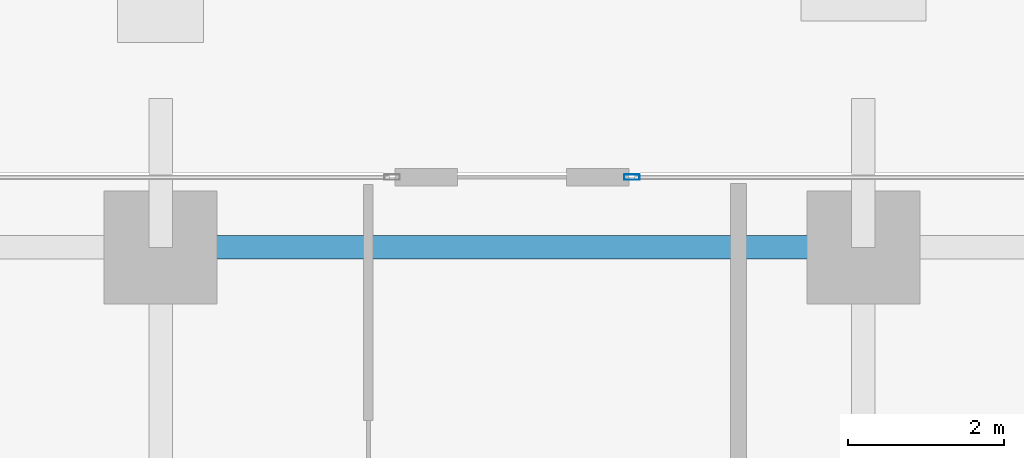
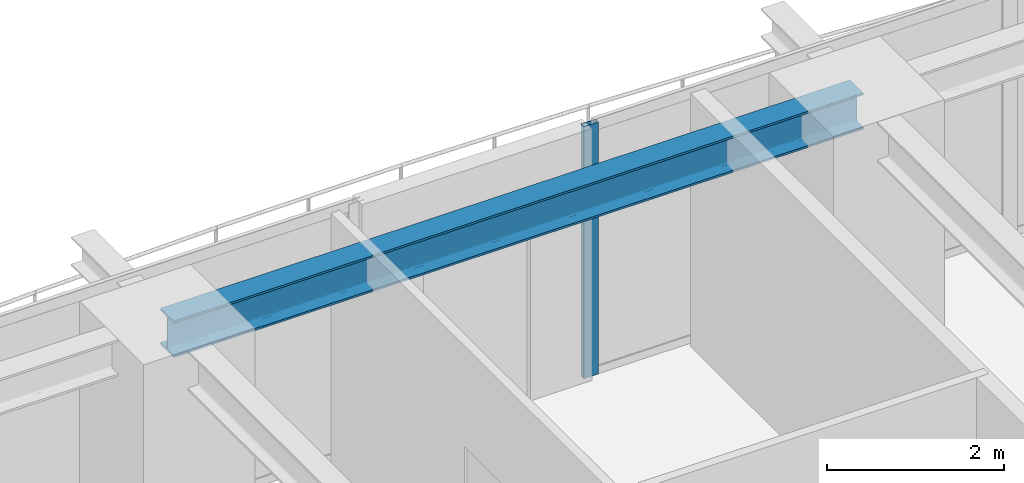
# One storey, part 18 of 35: 1 beam, 1 member, 1 element without a shape of its own.
"""IFC4 building model written with IfcOpenShell, lengths in metres."""

from ifc_helpers import new_model, si_unit, direction, frame, origin, origin_2d, place, context, subcontext, project, spatial, hollow_rectangle, i_section, extrude, source, transform, mapped, material, layer, layer_set, material_profile, profile_set, type_object, element, aggregate, save


model = new_model("IFC4")

# Units and contexts
model_context = context("Model", 3, precision=1e-05, world=origin(), true_north=direction((0.0, 1.0)))
body_context = subcontext(model_context, "Body", "Model", "MODEL_VIEW")
ifc_project = project(units=[si_unit("LENGTHUNIT", "METRE"), si_unit("AREAUNIT", "SQUARE_METRE"), si_unit("VOLUMEUNIT", "CUBIC_METRE"), si_unit("PLANEANGLEUNIT", "RADIAN"), si_unit("MASSUNIT", "GRAM", prefix="KILO")], contexts=[model_context])

# Site, building, storey
site_placement = place(None, origin())
site = spatial("IfcSite", under=ifc_project, at=site_placement, CompositionType="ELEMENT")
building_placement = place(site_placement, origin())
building = spatial("IfcBuilding", under=site, at=building_placement, Name="Serunith Strait Residences", CompositionType="ELEMENT")
storey_placement = place(building_placement, frame((0.0, 0.0, 71.699951171875)))
storey = spatial("IfcBuildingStorey", under=building, at=storey_placement, Name="L17", CompositionType="ELEMENT", Elevation=71.699951171875)

# Beam
ifc_material_1 = material(Name="Steel S355J2", Category="steel")
ifc_material_profile_1 = material_profile(ifc_material_1, i_section(OverallWidth=0.300048828125, OverallDepth=0.5, WebThickness=0.014404296875, FlangeThickness=0.028076171875, FilletRadius=0.027099609375, at=origin_2d()), Name="HEB 500")
ifc_profile_set_1 = profile_set([ifc_material_profile_1], Name="Steel S355J2")
beam_type = type_object("IfcBeamType", Name="BM-HEB500", PredefinedType="BEAM", material=ifc_profile_set_1)
shared_shape_1 = source(origin(), body_context, "Body", "SweptSolid", [
    extrude(i_section(OverallWidth=0.300048828125, OverallDepth=0.5, WebThickness=0.014404296875, FlangeThickness=0.028076171875, FilletRadius=0.027099609375, at=origin_2d()), origin(), (0.0, 0.0, 1.0), 9.0),
])
beam_placement = place(storey_placement, frame((36.89990234375, 49.300048828125, 3.237060546875), z_axis=(-1.0, 0.0, 0.0), x_axis=(0.0, -1.0, 0.0)))
element("IfcBeam", 1, at=beam_placement, inside=storey, type_object=beam_type, Name="L17 Perimeter Ring Beam 10", PredefinedType="BEAM", context=body_context, shape_type="MappedRepresentation", body=[
    mapped(shared_shape_1, transform((0.0, 0.0, 0.0), scale=1.0)),
])

# Curtain wall, member
ifc_material_2 = material(Name="Pale-Champagne Anodised Aluminium", Category="aluminium")
ifc_layer = layer(ifc_material_2, 0.199951171875, Name="Pale-Champagne Anodised Aluminium")
ifc_layer_set = layer_set([ifc_layer], Name="Pale-Champagne Anodised Aluminium")
curtain_wall_type = type_object("IfcCurtainWallType", Name="CW-SYS1", PredefinedType="NOTDEFINED", material=ifc_layer_set)
curtain_wall_placement = place(storey_placement, origin())
curtain_wall = element("IfcCurtainWall", 2, at=curtain_wall_placement, inside=storey, type_object=curtain_wall_type, Name="L17 N Unitised Fritted Curtain Wall", PredefinedType="NOTDEFINED")
ifc_material_profile_2 = material_profile(ifc_material_2, hollow_rectangle(XDim=0.070068359375, YDim=0.199951171875, WallThickness=0.00390625, InnerFilletRadius=0.006103515625, OuterFilletRadius=0.010009765625, at=origin_2d()), Name="ALU 200x70x4")
ifc_profile_set_2 = profile_set([ifc_material_profile_2], Name="Pale-Champagne Anodised Aluminium")
member_type = type_object("IfcMemberType", Name="CW-SYS1-MULL", PredefinedType="MULLION", material=ifc_profile_set_2)
shared_shape_2 = source(origin(), body_context, "Body", "SweptSolid", [
    extrude(hollow_rectangle(XDim=0.070068359375, YDim=0.199951171875, WallThickness=0.00390625, InnerFilletRadius=0.006103515625, OuterFilletRadius=0.010009765625, at=origin_2d()), origin(), (0.0, 0.0, 1.0), 3.47509765625),
])
member_placement = place(storey_placement, frame((33.93505859375, 50.199951171875, 0.0), z_axis=(0.0, 0.0, 1.0), x_axis=(0.0, -1.0, 0.0)))
member = element("IfcMember", 3, at=member_placement, type_object=member_type, Name="CW-1 mullion 4", PredefinedType="MULLION", context=body_context, shape_type="MappedRepresentation", body=[
    mapped(shared_shape_2, transform((0.0, 0.0, 0.0), scale=1.0)),
])
aggregate(curtain_wall, [member])

save(model, "model.ifc")
